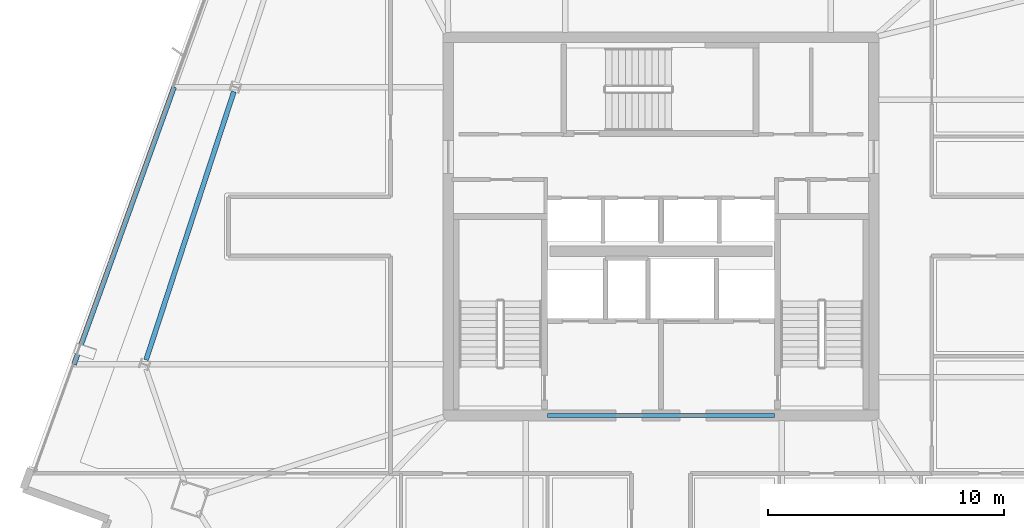
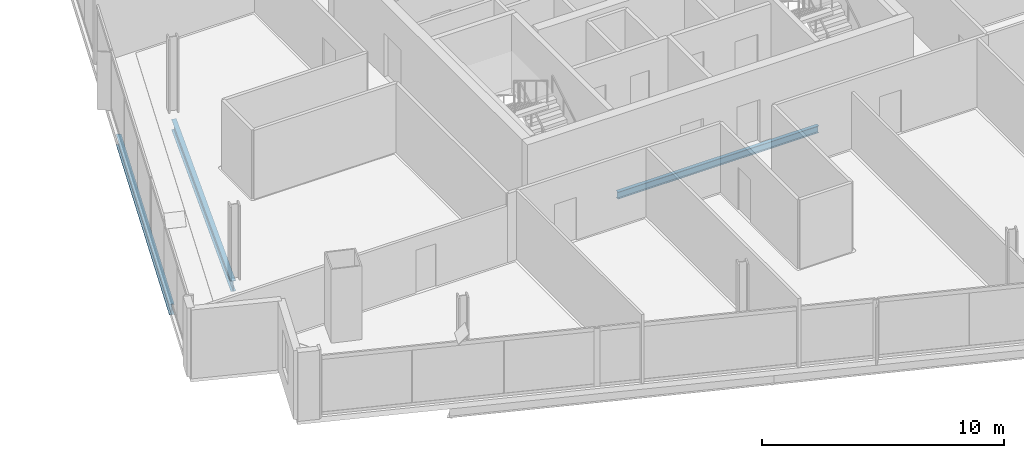
# One storey, part 7 of 27: 3 beams.
"""IFC4 building model written with IfcOpenShell, lengths in metres."""

from ifc_helpers import new_model, si_unit, direction, frame, origin, origin_2d, place, context, subcontext, project, spatial, i_section, extrude, material, material_profile, profile_set, type_object, element, save


model = new_model("IFC4")

# Units and contexts
model_context = context("Model", 3, precision=1e-05, world=origin(), true_north=direction((0.0, 1.0)))
body_context = subcontext(model_context, "Body", "Model", "MODEL_VIEW")
ifc_project = project(units=[si_unit("LENGTHUNIT", "METRE"), si_unit("AREAUNIT", "SQUARE_METRE"), si_unit("VOLUMEUNIT", "CUBIC_METRE"), si_unit("PLANEANGLEUNIT", "RADIAN"), si_unit("MASSUNIT", "GRAM", prefix="KILO")], contexts=[model_context])

# Site, building, storey
site_placement = place(None, origin())
site = spatial("IfcSite", under=ifc_project, at=site_placement, CompositionType="ELEMENT")
building_placement = place(site_placement, origin())
building = spatial("IfcBuilding", under=site, at=building_placement, Name="Haldenkirk Collegiate Tower", CompositionType="ELEMENT")
storey_placement = place(building_placement, frame((0.0, 0.0, 263.699951171875)))
storey = spatial("IfcBuildingStorey", under=building, at=storey_placement, Name="L66", CompositionType="ELEMENT", Elevation=263.699951171875)

# Beams
ifc_material = material(Name="Steel ASTM A992 Grade 50", Category="steel")
ifc_material_profile_1 = material_profile(ifc_material, i_section(OverallWidth=0.1708984375, OverallDepth=0.35595703125, WebThickness=0.007080078125, FlangeThickness=0.01171875, at=origin_2d()), Name="W14X34")
ifc_profile_set_1 = profile_set([ifc_material_profile_1], Name="Steel ASTM A992 Grade 50")
beam_type_1 = type_object("IfcBeamType", Name="BM-LINTEL-W14X34", PredefinedType="LINTEL", material=ifc_profile_set_1)
beam_1_placement = place(storey_placement, frame((31.199951171875, 18.0, -0.447998046875), z_axis=(1.0, 0.0, 0.0), x_axis=(0.0, 1.0, 0.0)))
element("IfcBeam", 1, at=beam_1_placement, inside=storey, type_object=beam_type_1, Name="L66 south core coupling lintel", PredefinedType="LINTEL", context=body_context, shape_type="SweptSolid", body=[
    extrude(i_section(OverallWidth=0.1708984375, OverallDepth=0.35595703125, WebThickness=0.007080078125, FlangeThickness=0.01171875, at=origin_2d()), origin(), (0.0, 0.0, 1.0), 9.60009765625),
])
ifc_material_profile_2 = material_profile(ifc_material, i_section(OverallWidth=0.2099609375, OverallDepth=0.537109375, WebThickness=0.010986328125, FlangeThickness=0.017333984375, at=origin_2d()), Name="W21X68")
ifc_profile_set_2 = profile_set([ifc_material_profile_2], Name="Steel ASTM A992 Grade 50")
beam_type_2 = type_object("IfcBeamType", Name="BM-SPANDREL-W21X68", PredefinedType="SPANDREL", material=ifc_profile_set_2)
beam_2_placement = place(storey_placement, frame((17.9267578125, 31.701171875, -0.538330078125), z_axis=(-0.311010188249, -0.950406577631, 0.0), x_axis=(0.950406577631, -0.311010188249, 0.0)))
element("IfcBeam", 2, at=beam_2_placement, inside=storey, type_object=beam_type_2, Name="L66 perimeter spandrel beam 11", PredefinedType="SPANDREL", context=body_context, shape_type="SweptSolid", body=[
    extrude(i_section(OverallWidth=0.2099609375, OverallDepth=0.537109375, WebThickness=0.010986328125, FlangeThickness=0.017333984375, at=origin_2d()), origin(), (0.0, 0.0, 1.0), 11.94287109375),
])
beam_3_placement = place(storey_placement, frame((15.397216796875, 31.8935546875, -0.538330078125), z_axis=(-0.33957089504, -0.940580462928, 0.0), x_axis=(0.940580462928, -0.33957089504, 0.0)))
element("IfcBeam", 3, at=beam_3_placement, inside=storey, type_object=beam_type_2, Name="L66 outer facade edge beam 3B", PredefinedType="SPANDREL", context=body_context, shape_type="SweptSolid", body=[
    extrude(i_section(OverallWidth=0.2099609375, OverallDepth=0.537109375, WebThickness=0.010986328125, FlangeThickness=0.017333984375, at=origin_2d()), origin(), (0.0, 0.0, 1.0), 12.47705078125),
])

save(model, "model.ifc")
